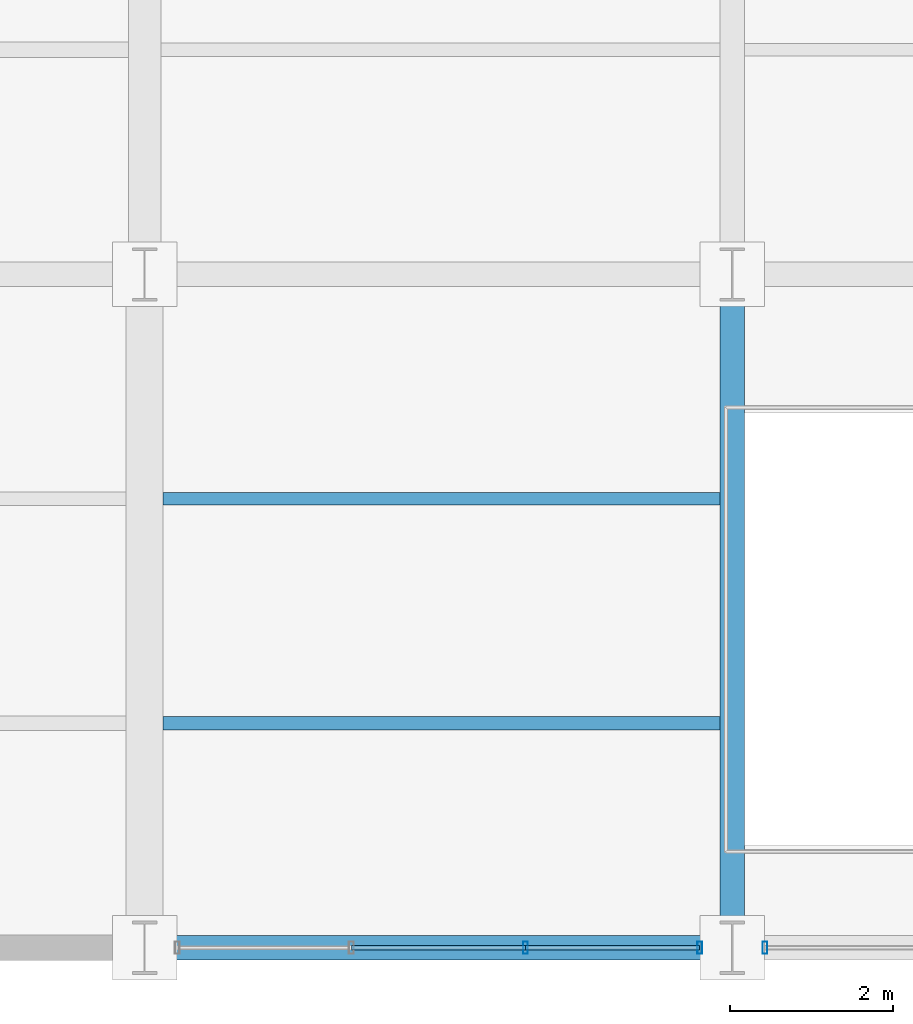
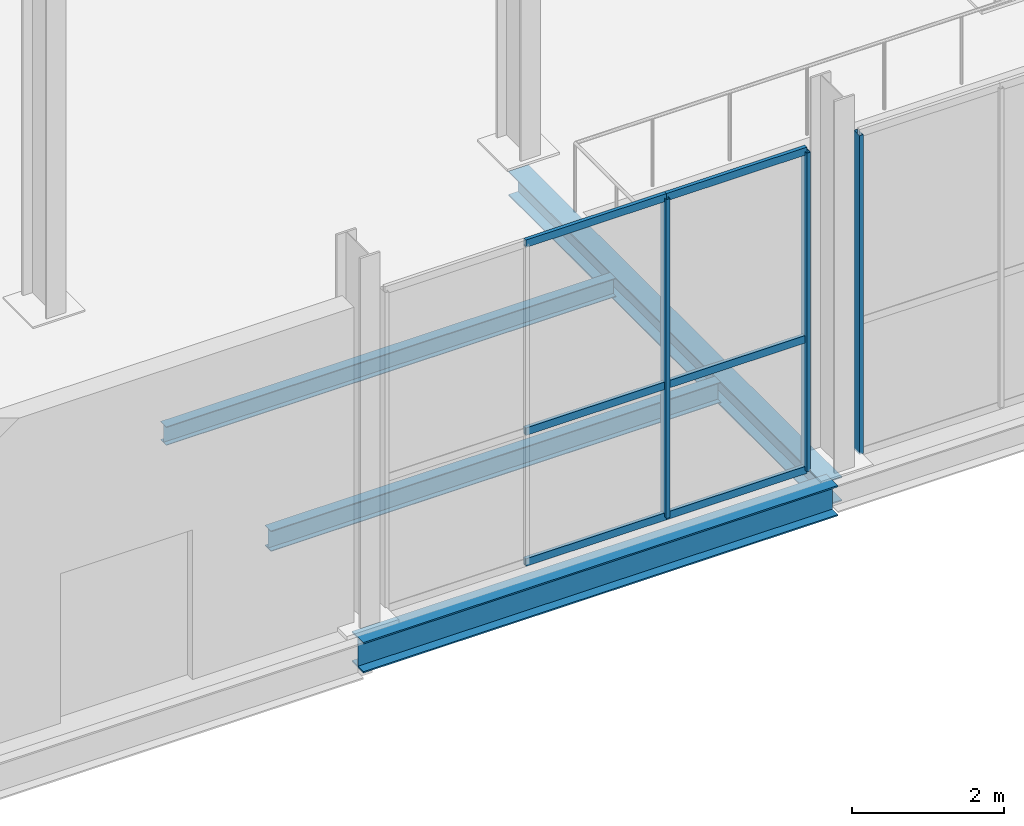
# One storey, part 29 of 144: 9 members, 4 beams, 2 elements without a shape of their own.
"""IFC4 building model written with IfcOpenShell, lengths in metres."""

import ifcopenshell
import ifcopenshell.guid

model = None  # the IFC model being written
_history = None  # IfcOwnerHistory: only IFC2X3 demands one
_inside = {}  # id of a spatial element -> (the spatial element, [elements in it])
_under = {}  # id of a project, library or spatial element -> (it, [spatial elements below it])
_declared = {}  # id of a project -> (the project, [libraries it declares])
_typed = {}  # id of a type object -> (the type object, [elements of that type])
_made_of = {}  # id of a material, layer set ... -> (it, [elements and type objects made of it])


def new_model(schema):
    """Start an empty IFC model of exactly this schema.

    Asked for "IFC4X3", IfcOpenShell would pick the latest addendum, in which some entities
    have other attributes; the version numbers below select the first issue.
    IFC2X3 requires an IfcOwnerHistory on every rooted entity: one is made here for all.
    """
    global model, _history
    if schema == "IFC4X3":
        model = ifcopenshell.file(schema_version=(4, 3, 0, 0))
    else:
        model = ifcopenshell.file(schema=schema)
    _inside.clear()
    _under.clear()
    _declared.clear()
    _typed.clear()
    _made_of.clear()
    _history = None
    if model.schema == "IFC2X3":
        org = make("IfcOrganization", Name="unknown")
        user = make(
            "IfcPersonAndOrganization",
            ThePerson=make("IfcPerson", FamilyName="unknown"),
            TheOrganization=org,
        )
        app = make(
            "IfcApplication",
            ApplicationDeveloper=org,
            Version="unknown",
            ApplicationFullName="unknown",
            ApplicationIdentifier="unknown",
        )
        _history = make(
            "IfcOwnerHistory",
            OwningUser=user,
            OwningApplication=app,
            ChangeAction="ADDED",
            CreationDate=0,
        )
    return model


def make(cls, **values):
    """One entity of the class cls with the attributes given. An attribute that is None is left unset."""
    return model.create_entity(
        cls, **{name: value for name, value in values.items() if value is not None}
    )


def rooted(cls, **values):
    """An entity with a GlobalId (a new one), such as an element, a storey or a relation."""
    return make(cls, GlobalId=ifcopenshell.guid.new(), OwnerHistory=_history, **values)


def si_unit(unit_type, name, prefix=None):
    """IfcSIUnit, for example si_unit("LENGTHUNIT", "METRE", prefix="MILLI")."""
    return make("IfcSIUnit", UnitType=unit_type, Prefix=prefix, Name=name)


def assignment(units):
    """IfcUnitAssignment: the units of a project."""
    return None if units is None else make("IfcUnitAssignment", Units=units)


def point(xyz):
    """IfcCartesianPoint."""
    return None if xyz is None else make("IfcCartesianPoint", Coordinates=xyz)


def direction(xyz):
    """IfcDirection."""
    return None if xyz is None else make("IfcDirection", DirectionRatios=xyz)


def frame(location, z_axis=None, x_axis=None):
    """IfcAxis2Placement3D, a coordinate frame: its origin and axes. An axis left out is left unset."""
    return make(
        "IfcAxis2Placement3D",
        Location=point(location),
        Axis=direction(z_axis),
        RefDirection=direction(x_axis),
    )


def frame_2d(location, x_axis=None):
    """IfcAxis2Placement2D, a coordinate frame in the plane: its origin and x axis."""
    return make(
        "IfcAxis2Placement2D", Location=point(location), RefDirection=direction(x_axis)
    )


def origin():
    """The frame at (0, 0, 0) with its axes left unset."""
    return frame((0.0, 0.0, 0.0))


def origin_2d():
    """The frame at (0, 0) in the plane with its x axis left unset."""
    return frame_2d((0.0, 0.0))


def place(relative_to, where):
    """IfcLocalPlacement: puts the frame where relative to a parent placement (None: the world)."""
    return make(
        "IfcLocalPlacement", PlacementRelTo=relative_to, RelativePlacement=where
    )


def context(
    kind, dimensions, precision=None, world=None, true_north=None, identifier=None
):
    """IfcGeometricRepresentationContext, for example the 3D "Model" context."""
    return make(
        "IfcGeometricRepresentationContext",
        ContextIdentifier=identifier,
        ContextType=kind,
        CoordinateSpaceDimension=dimensions,
        Precision=precision,
        WorldCoordinateSystem=world,
        TrueNorth=true_north,
    )


def subcontext(parent, identifier, kind, view, scale=None):
    """IfcGeometricRepresentationSubContext, for example "Body" below "Model"."""
    return make(
        "IfcGeometricRepresentationSubContext",
        ContextIdentifier=identifier,
        ContextType=kind,
        ParentContext=parent,
        TargetScale=scale,
        TargetView=view,
    )


def project(units=None, contexts=None):
    """IfcProject with its units and contexts."""
    return rooted(
        "IfcProject",
        Name="project",
        RepresentationContexts=contexts,
        UnitsInContext=assignment(units),
    )


def spatial(cls, under=None, at=None, **own):
    """A site, building, storey or space (cls), placed at a placement, below another one or the project."""
    s = rooted(cls, ObjectPlacement=at, **own)
    if under is not None:
        _under.setdefault(under.id(), (under, []))[1].append(s)
    return s


def profile(cls, at=None, kind="AREA", **sizes):
    """A parametric profile (cls). Its sizes go by their IFC names, for example OverallWidth=200.0."""
    return make(cls, ProfileType=kind, Position=at, **sizes)


def hollow_rectangle(**sizes):
    """IfcRectangleHollowProfileDef."""
    return profile("IfcRectangleHollowProfileDef", **sizes)


def i_section(**sizes):
    """IfcIShapeProfileDef."""
    return profile("IfcIShapeProfileDef", **sizes)


def extrude(swept, where, along, depth):
    """IfcExtrudedAreaSolid: the profile swept, set in the frame where, extruded along a direction by depth."""
    return make(
        "IfcExtrudedAreaSolid",
        SweptArea=swept,
        Position=where,
        ExtrudedDirection=direction(along),
        Depth=depth,
    )


def shape(context_of_items, identifier, shape_type, items):
    """IfcShapeRepresentation: the items that make up one representation, for example the "Body"."""
    return make(
        "IfcShapeRepresentation",
        ContextOfItems=context_of_items,
        RepresentationIdentifier=identifier,
        RepresentationType=shape_type,
        Items=items,
    )


def material(Name=None, Category=None):
    """IfcMaterial."""
    return make("IfcMaterial", Name=Name, Category=Category)


def layer(
    of_material, thickness, ventilated=None, Name=None, Category=None, Priority=None
):
    """IfcMaterialLayer: one layer of a wall or slab, of a material (None: an air gap)."""
    return make(
        "IfcMaterialLayer",
        Material=of_material,
        LayerThickness=thickness,
        IsVentilated=ventilated,
        Name=Name,
        Category=Category,
        Priority=Priority,
    )


def layer_set(layers, Name=None):
    """IfcMaterialLayerSet."""
    return make("IfcMaterialLayerSet", MaterialLayers=layers, LayerSetName=Name)


def material_profile(
    of_material, cross_section, Name=None, Category=None, Priority=None
):
    """IfcMaterialProfile: a cross section and its material."""
    return make(
        "IfcMaterialProfile",
        Name=Name,
        Material=of_material,
        Profile=cross_section,
        Priority=Priority,
        Category=Category,
    )


def profile_set(profiles, Name=None, composite=None):
    """IfcMaterialProfileSet."""
    return make(
        "IfcMaterialProfileSet",
        Name=Name,
        MaterialProfiles=profiles,
        CompositeProfile=composite,
    )


def made_of(thing, what):
    """Note that an element or type object is made of a material, layer set ...; save() writes the relation."""
    if what is not None:
        _made_of.setdefault(what.id(), (what, []))[1].append(thing)
    return thing


def type_object(cls, material=None, **own):
    """A type object (cls), such as IfcWallType, which elements share."""
    return made_of(rooted(cls, **own), material)


def element(
    cls,
    number,
    at=None,
    inside=None,
    cuts=None,
    type_object=None,
    material=None,
    context=None,
    identifier="Body",
    shape_type=None,
    held_by="IfcProductDefinitionShape",
    body=None,
    shapes=None,
    **own,
):
    """One element of the class cls, such as IfcWall. Its Tag is "e" and its number.

    at: its placement. inside: the storey or other place that contains it. cuts: it is an
    opening in that element (IfcRelVoidsElement). A single representation is given by context,
    identifier, shape_type and body (its items); several are given by shapes. held_by: the class
    of the entity that holds the representations. save() writes the other relations.
    """
    e = rooted(cls, Tag="e%d" % number, ObjectPlacement=at, **own)
    if body is not None:
        shapes = [shape(context, identifier, shape_type, body)]
    if shapes is not None:
        e.Representation = make(held_by, Representations=shapes)
    if inside is not None:
        _inside.setdefault(inside.id(), (inside, []))[1].append(e)
    if cuts is not None:
        rooted(
            "IfcRelVoidsElement", RelatingBuildingElement=cuts, RelatedOpeningElement=e
        )
    if type_object is not None:
        _typed.setdefault(type_object.id(), (type_object, []))[1].append(e)
    return made_of(e, material)


def aggregate(whole, parts):
    """IfcRelAggregates: a whole, such as a stair, and the parts it consists of."""
    return rooted("IfcRelAggregates", RelatingObject=whole, RelatedObjects=parts)


def save(model, path):
    """Write the relations noted so far, then the file.

    IfcRelAggregates (storeys below a building ...), IfcRelContainedInSpatialStructure (elements
    in a storey), IfcRelDefinesByType, IfcRelAssociatesMaterial and IfcRelDeclares: one each for
    every whole, place, type object, material and project.
    """
    for whole, parts in _under.values():
        aggregate(whole, parts)
    for where, things in _inside.values():
        rooted(
            "IfcRelContainedInSpatialStructure",
            RelatedElements=things,
            RelatingStructure=where,
        )
    for kind, things in _typed.values():
        rooted("IfcRelDefinesByType", RelatedObjects=things, RelatingType=kind)
    for what, things in _made_of.values():
        rooted("IfcRelAssociatesMaterial", RelatedObjects=things, RelatingMaterial=what)
    for by, libraries in _declared.values():
        rooted("IfcRelDeclares", RelatingContext=by, RelatedDefinitions=libraries)
    model.write(path)


model = new_model("IFC4")

# Units and contexts
model_context = context("Model", 3, precision=1e-05, world=origin(), true_north=direction((0.0, 1.0)))
body_context = subcontext(model_context, "Body", "Model", "MODEL_VIEW")
ifc_project = project(units=[si_unit("LENGTHUNIT", "METRE"), si_unit("AREAUNIT", "SQUARE_METRE"), si_unit("VOLUMEUNIT", "CUBIC_METRE"), si_unit("PLANEANGLEUNIT", "RADIAN"), si_unit("MASSUNIT", "GRAM", prefix="KILO")], contexts=[model_context])

# Site, building, storey
site_placement = place(None, origin())
site = spatial("IfcSite", under=ifc_project, at=site_placement, CompositionType="ELEMENT")
building_placement = place(site_placement, origin())
building = spatial("IfcBuilding", under=site, at=building_placement, Name="Sundgate Opera House", CompositionType="ELEMENT")
storey_placement = place(building_placement, origin())
storey = spatial("IfcBuildingStorey", under=building, at=storey_placement, Name="L00", CompositionType="ELEMENT", Elevation=0.0)

# Beams
ifc_material_1 = material(Name="Steel S355J2", Category="steel")
ifc_material_profile_1 = material_profile(ifc_material_1, i_section(OverallWidth=0.300048828125, OverallDepth=0.389892578125, WebThickness=0.010986328125, FlangeThickness=0.01904296875, at=origin_2d()), Name="HEA 400")
ifc_profile_set_1 = profile_set([ifc_material_profile_1], Name="Steel S355J2")
beam_type_1 = type_object("IfcBeamType", Name="BM-GR-HEA400", PredefinedType="BEAM", material=ifc_profile_set_1)
beam_1_placement = place(storey_placement, frame((124.199951171875, 0.0, -0.514892578125), z_axis=(0.0, 1.0, 0.0), x_axis=(-1.0, 0.0, 0.0)))
element("IfcBeam", 1, at=beam_1_placement, inside=storey, type_object=beam_type_1, Name="L00 Primary N-S Girder B0246", PredefinedType="BEAM", context=body_context, shape_type="SweptSolid", body=[
    extrude(i_section(OverallWidth=0.300048828125, OverallDepth=0.389892578125, WebThickness=0.010986328125, FlangeThickness=0.01904296875, at=origin_2d()), origin(), (0.0, 0.0, 1.0), 8.25),
])
ifc_material_2 = material(Name="Steel S355J2", Category="steel")
ifc_material_profile_2 = material_profile(ifc_material_2, i_section(OverallWidth=0.300048828125, OverallDepth=0.489990234375, WebThickness=0.011962890625, FlangeThickness=0.02294921875, at=origin_2d()), Name="HEA 500")
ifc_profile_set_2 = profile_set([ifc_material_profile_2], Name="Steel S355J2")
beam_type_2 = type_object("IfcBeamType", Name="BM-GR-HEA500", PredefinedType="BEAM", material=ifc_profile_set_2)
beam_2_placement = place(storey_placement, frame((117.0, 0.0, -0.56494140625), z_axis=(1.0, 0.0, 0.0), x_axis=(0.0, 1.0, 0.0)))
element("IfcBeam", 2, at=beam_2_placement, inside=storey, type_object=beam_type_2, Name="L00 Primary E-W Girder B0331", PredefinedType="BEAM", context=body_context, shape_type="SweptSolid", body=[
    extrude(i_section(OverallWidth=0.300048828125, OverallDepth=0.489990234375, WebThickness=0.011962890625, FlangeThickness=0.02294921875, at=origin_2d()), origin(), (0.0, 0.0, 1.0), 7.199951171875),
])
ifc_material_3 = material(Name="Steel S355J2", Category="steel")
ifc_material_profile_3 = material_profile(ifc_material_3, i_section(OverallWidth=0.14990234375, OverallDepth=0.300048828125, WebThickness=0.007080078125, FlangeThickness=0.0107421875, at=origin_2d()), Name="IPE 300")
ifc_profile_set_3 = profile_set([ifc_material_profile_3], Name="Steel S355J2")
beam_type_3 = type_object("IfcBeamType", Name="BM-JS-IPE300", PredefinedType="JOIST", material=ifc_profile_set_3)
beam_3_placement = place(storey_placement, frame((117.22509765625, 5.5, -0.469970703125), z_axis=(1.0, 0.0, 0.0), x_axis=(0.0, 1.0, 0.0)))
element("IfcBeam", 3, at=beam_3_placement, inside=storey, type_object=beam_type_3, Name="L00 Secondary Floor Joist B0620", PredefinedType="JOIST", context=body_context, shape_type="SweptSolid", body=[
    extrude(i_section(OverallWidth=0.14990234375, OverallDepth=0.300048828125, WebThickness=0.007080078125, FlangeThickness=0.0107421875, at=origin_2d()), origin(), (0.0, 0.0, 1.0), 6.824951171875),
])
ifc_material_4 = material(Name="Steel S355J2", Category="steel")
ifc_material_profile_4 = material_profile(ifc_material_4, i_section(OverallWidth=0.159912109375, OverallDepth=0.330078125, WebThickness=0.007568359375, FlangeThickness=0.011474609375, at=origin_2d()), Name="IPE 330")
ifc_profile_set_4 = profile_set([ifc_material_profile_4], Name="Steel S355J2")
beam_type_4 = type_object("IfcBeamType", Name="BM-JS-IPE330", PredefinedType="JOIST", material=ifc_profile_set_4)
beam_4_placement = place(storey_placement, frame((117.22509765625, 2.75, -0.485107421875), z_axis=(1.0, 0.0, 0.0), x_axis=(0.0, 1.0, 0.0)))
element("IfcBeam", 4, at=beam_4_placement, inside=storey, type_object=beam_type_4, Name="L00 Secondary Floor Joist B0619", PredefinedType="JOIST", context=body_context, shape_type="SweptSolid", body=[
    extrude(i_section(OverallWidth=0.159912109375, OverallDepth=0.330078125, WebThickness=0.007568359375, FlangeThickness=0.011474609375, at=origin_2d()), origin(), (0.0, 0.0, 1.0), 6.824951171875),
])

# Curtain wall, members
ifc_material_5 = material(Name="Anodized aluminium and low-iron glass", Category="aluminium")
ifc_layer = layer(ifc_material_5, 0.14990234375)
ifc_layer_set = layer_set([ifc_layer], Name="Anodized aluminium and low-iron glass")
curtain_wall_type = type_object("IfcCurtainWallType", Name="CW-WORKSHOP-DARK", PredefinedType="NOTDEFINED", material=ifc_layer_set)
curtain_wall_1_placement = place(storey_placement, origin())
curtain_wall_1 = element("IfcCurtainWall", 5, at=curtain_wall_1_placement, inside=storey, type_object=curtain_wall_type, Name="L00 Curtain Wall CW123", PredefinedType="NOTDEFINED")
ifc_material_6 = material(Name="Anodized aluminium EN AW-6063", Category="aluminium")
ifc_material_profile_5 = material_profile(ifc_material_6, hollow_rectangle(XDim=0.06005859375, YDim=0.14990234375, WallThickness=0.00390625, at=origin_2d()), Name="CWM 150x60x4")
ifc_profile_set_5 = profile_set([ifc_material_profile_5], Name="Anodized aluminium EN AW-6063")
member_type_1 = type_object("IfcMemberType", Name="CWM-ALU-150x60", PredefinedType="MULLION", material=ifc_profile_set_5)
member_1_placement = place(storey_placement, frame((123.800048828125, 0.0, 0.0), z_axis=(0.0, 0.0, 1.0), x_axis=(1.0, 0.0, 0.0)))
member_1 = element("IfcMember", 6, at=member_1_placement, type_object=member_type_1, Name="CW123 Mullion 1", PredefinedType="MULLION", context=body_context, shape_type="SweptSolid", body=[
    extrude(hollow_rectangle(XDim=0.06005859375, YDim=0.14990234375, WallThickness=0.00390625, at=origin_2d()), origin(), (0.0, 0.0, 1.0), 5.114990234375),
])
member_2_placement = place(storey_placement, frame((121.666748046875, 0.0, 0.0), z_axis=(0.0, 0.0, 1.0), x_axis=(1.0, 0.0, 0.0)))
member_2 = element("IfcMember", 7, at=member_2_placement, type_object=member_type_1, Name="CW123 Mullion 2", PredefinedType="MULLION", context=body_context, shape_type="SweptSolid", body=[
    extrude(hollow_rectangle(XDim=0.06005859375, YDim=0.14990234375, WallThickness=0.00390625, at=origin_2d()), origin(), (0.0, 0.0, 1.0), 5.114990234375),
])

# Curtain wall, member
curtain_wall_2_placement = place(storey_placement, origin())
curtain_wall_2 = element("IfcCurtainWall", 8, at=curtain_wall_2_placement, inside=storey, type_object=curtain_wall_type, Name="L00 Curtain Wall CW124", PredefinedType="NOTDEFINED")
member_3_placement = place(storey_placement, frame((124.60009765625, 0.0, 0.0), z_axis=(0.0, 0.0, 1.0), x_axis=(1.0, 0.0, 0.0)))
member_3 = element("IfcMember", 9, at=member_3_placement, type_object=member_type_1, Name="CW124 Mullion 4", PredefinedType="MULLION", context=body_context, shape_type="SweptSolid", body=[
    extrude(hollow_rectangle(XDim=0.06005859375, YDim=0.14990234375, WallThickness=0.00390625, at=origin_2d()), origin(), (0.0, 0.0, 1.0), 5.114990234375),
])
aggregate(curtain_wall_2, [member_3])

# Member
ifc_material_7 = material(Name="Anodized aluminium EN AW-6063", Category="aluminium")
ifc_material_profile_6 = material_profile(ifc_material_7, hollow_rectangle(XDim=0.054931640625, YDim=0.1201171875, WallThickness=0.00390625, at=origin_2d()), Name="CWT 120x55x4")
ifc_profile_set_6 = profile_set([ifc_material_profile_6], Name="Anodized aluminium EN AW-6063")
member_type_2 = type_object("IfcMemberType", Name="CWT-ALU-120x55", PredefinedType="USERDEFINED", material=ifc_profile_set_6)
member_4_placement = place(storey_placement, frame((123.800048828125, 0.0, 0.0), z_axis=(-1.0, 0.0, 0.0), x_axis=(0.0, -1.0, 0.0)))
member_4 = element("IfcMember", 10, at=member_4_placement, type_object=member_type_2, Name="CW123 Transom 1", ObjectType="TRANSOM", PredefinedType="USERDEFINED", context=body_context, shape_type="SweptSolid", body=[
    extrude(hollow_rectangle(XDim=0.054931640625, YDim=0.1201171875, WallThickness=0.00390625, at=origin_2d()), origin(), (0.0, 0.0, 1.0), 2.13330078125),
])

member_5_placement = place(storey_placement, frame((123.800048828125, 0.0, 2.10009765625), z_axis=(-1.0, 0.0, 0.0), x_axis=(0.0, -1.0, 0.0)))
member_5 = element("IfcMember", 11, at=member_5_placement, type_object=member_type_2, Name="CW123 Transom 2", ObjectType="TRANSOM", PredefinedType="USERDEFINED", context=body_context, shape_type="SweptSolid", body=[
    extrude(hollow_rectangle(XDim=0.054931640625, YDim=0.1201171875, WallThickness=0.00390625, at=origin_2d()), origin(), (0.0, 0.0, 1.0), 2.13330078125),
])

member_6_placement = place(storey_placement, frame((123.800048828125, 0.0, 5.114990234375), z_axis=(-1.0, 0.0, 0.0), x_axis=(0.0, -1.0, 0.0)))
member_6 = element("IfcMember", 12, at=member_6_placement, type_object=member_type_2, Name="CW123 Transom 3", ObjectType="TRANSOM", PredefinedType="USERDEFINED", context=body_context, shape_type="SweptSolid", body=[
    extrude(hollow_rectangle(XDim=0.054931640625, YDim=0.1201171875, WallThickness=0.00390625, at=origin_2d()), origin(), (0.0, 0.0, 1.0), 2.13330078125),
])

member_7_placement = place(storey_placement, frame((121.666748046875, 0.0, 0.0), z_axis=(-1.0, 0.0, 0.0), x_axis=(0.0, -1.0, 0.0)))
member_7 = element("IfcMember", 13, at=member_7_placement, type_object=member_type_2, Name="CW123 Transom 4", ObjectType="TRANSOM", PredefinedType="USERDEFINED", context=body_context, shape_type="SweptSolid", body=[
    extrude(hollow_rectangle(XDim=0.054931640625, YDim=0.1201171875, WallThickness=0.00390625, at=origin_2d()), origin(), (0.0, 0.0, 1.0), 2.13330078125),
])

member_8_placement = place(storey_placement, frame((121.666748046875, 0.0, 2.10009765625), z_axis=(-1.0, 0.0, 0.0), x_axis=(0.0, -1.0, 0.0)))
member_8 = element("IfcMember", 14, at=member_8_placement, type_object=member_type_2, Name="CW123 Transom 5", ObjectType="TRANSOM", PredefinedType="USERDEFINED", context=body_context, shape_type="SweptSolid", body=[
    extrude(hollow_rectangle(XDim=0.054931640625, YDim=0.1201171875, WallThickness=0.00390625, at=origin_2d()), origin(), (0.0, 0.0, 1.0), 2.13330078125),
])

member_9_placement = place(storey_placement, frame((121.666748046875, 0.0, 5.114990234375), z_axis=(-1.0, 0.0, 0.0), x_axis=(0.0, -1.0, 0.0)))
member_9 = element("IfcMember", 15, at=member_9_placement, type_object=member_type_2, Name="CW123 Transom 6", ObjectType="TRANSOM", PredefinedType="USERDEFINED", context=body_context, shape_type="SweptSolid", body=[
    extrude(hollow_rectangle(XDim=0.054931640625, YDim=0.1201171875, WallThickness=0.00390625, at=origin_2d()), origin(), (0.0, 0.0, 1.0), 2.13330078125),
])

aggregate(curtain_wall_1, [member_1, member_2, member_4, member_5, member_6, member_7, member_8, member_9])

save(model, "model.ifc")
